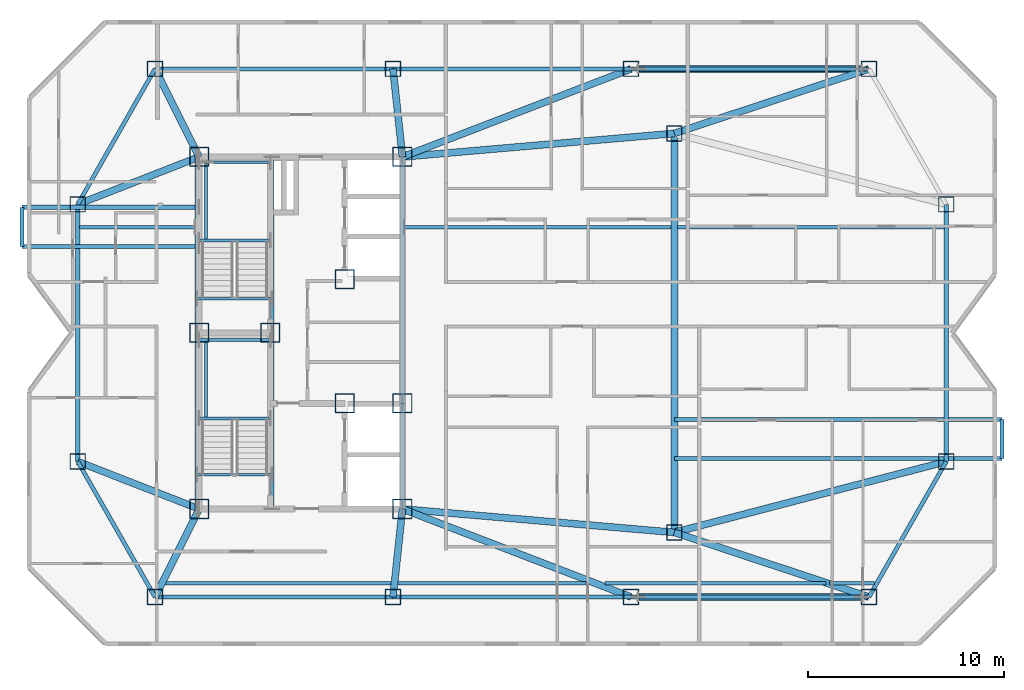
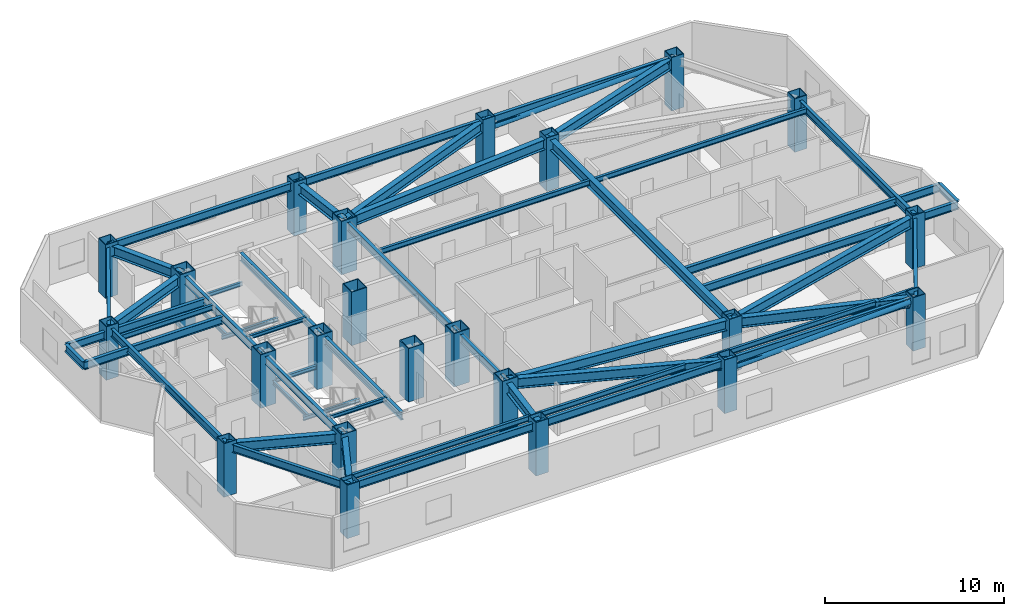
# One storey, part 1 of 10: 52 beams, 23 columns, 2 members.
"""IFC4 building model written with IfcOpenShell, lengths in metres."""

from ifc_helpers import new_model, si_unit, direction, frame, origin, origin_2d, place, context, subcontext, project, spatial, hollow_rectangle, hollow_circle, i_section, extrude, material, material_profile, profile_set, type_object, element, save


model = new_model("IFC4")

# Units and contexts
model_context = context("Model", 3, precision=1e-05, world=origin(), true_north=direction((0.0, 1.0)))
body_context = subcontext(model_context, "Body", "Model", "MODEL_VIEW")
ifc_project = project(units=[si_unit("LENGTHUNIT", "METRE"), si_unit("AREAUNIT", "SQUARE_METRE"), si_unit("VOLUMEUNIT", "CUBIC_METRE"), si_unit("PLANEANGLEUNIT", "RADIAN"), si_unit("MASSUNIT", "GRAM", prefix="KILO")], contexts=[model_context])

# Site, building, storey
site_placement = place(None, origin())
site = spatial("IfcSite", under=ifc_project, at=site_placement, CompositionType="ELEMENT")
building_placement = place(site_placement, origin())
building = spatial("IfcBuilding", under=site, at=building_placement, Name="Khamvora Tower", CompositionType="ELEMENT")
storey_placement = place(building_placement, frame((0.0, 0.0, 257.35009765625)))
storey = spatial("IfcBuildingStorey", under=building, at=storey_placement, Name="L66", CompositionType="ELEMENT", Elevation=257.35009765625)

# Columns
ifc_material_1 = material(Name="Steel S355", Category="steel")
ifc_material_profile_1 = material_profile(ifc_material_1, hollow_rectangle(XDim=0.800048828125, YDim=0.800048828125, WallThickness=0.0400390625, at=origin_2d()), Name="BOX800x800x40")
ifc_profile_set_1 = profile_set([ifc_material_profile_1], Name="Steel S355")
column_type_1 = type_object("IfcColumnType", Name="COL-BOX800", PredefinedType="COLUMN", material=ifc_profile_set_1)
for number, where, z_axis, x_axis, name in (
    (1, (26.75, 14.5, 0.0), (0.0, 0.0, 1.0), (1.0, 0.0, 0.0), "L66 structural frame column S1"),
    (2, (38.9169921875, 14.5, 0.0), (0.0, 0.0, 1.0), (1.0, 0.0, 0.0), "L66 structural frame column S2"),
    (3, (51.0830078125, 14.5, 0.0), (0.0, 0.0, 1.0), (1.0, 0.0, 0.0), "L66 structural frame column S3"),
    (4, (63.25, 14.5, 0.0), (0.0, 0.0, 1.0), (1.0, 0.0, 0.0), "L66 structural frame column S4"),
    (5, (26.75, 41.5, 0.0), (0.0, 0.0, 1.0), (1.0, 0.0, 0.0), "L66 structural frame column N1"),
    (6, (38.9169921875, 41.5, 0.0), (0.0, 0.0, 1.0), (1.0, 0.0, 0.0), "L66 structural frame column N2"),
    (7, (51.0830078125, 41.5, 0.0), (0.0, 0.0, 1.0), (1.0, 0.0, 0.0), "L66 structural frame column N3"),
    (8, (63.25, 41.5, 0.0), (0.0, 0.0, 1.0), (1.0, 0.0, 0.0), "L66 structural frame column N4"),
    (9, (22.800048828125, 21.425048828125, 0.0), (0.0, 0.0, 1.0), (1.0, 0.0, 0.0), "L66 structural frame column W1"),
    (10, (22.800048828125, 34.574951171875, 0.0), (0.0, 0.0, 1.0), (1.0, 0.0, 0.0), "L66 structural frame column W2"),
    (11, (67.199951171875, 21.425048828125, 0.0), (0.0, 0.0, 1.0), (1.0, 0.0, 0.0), "L66 structural frame column E1"),
    (12, (67.199951171875, 34.574951171875, 0.0), (0.0, 0.0, 1.0), (1.0, 0.0, 0.0), "L66 structural frame column E2"),
    (13, (53.300048828125, 17.800048828125, 0.0), (0.0, 0.0, 1.0), (1.0, 0.0, 0.0), "L66 structural frame column M1"),
    (14, (53.300048828125, 38.199951171875, 0.0), (0.0, 0.0, 1.0), (1.0, 0.0, 0.0), "L66 structural frame column M2"),
):
    element("IfcColumn", number, at=place(storey_placement, frame(where, z_axis=z_axis, x_axis=x_axis)), inside=storey, type_object=column_type_1, Name=name, PredefinedType="COLUMN", context=body_context, shape_type="SweptSolid", body=[
        extrude(hollow_rectangle(XDim=0.800048828125, YDim=0.800048828125, WallThickness=0.0400390625, at=origin_2d()), origin(), (0.0, 0.0, 1.0), 3.64990234375),
    ])
ifc_material_2 = material(Name="Structural Steel S460ML", Category="steel")
ifc_material_profile_2 = material_profile(ifc_material_2, hollow_rectangle(XDim=1.0, YDim=1.0, WallThickness=0.050048828125, at=origin_2d()), Name="BOX1000x1000x50")
ifc_profile_set_2 = profile_set([ifc_material_profile_2], Name="Structural Steel S460ML")
column_type_2 = type_object("IfcColumnType", Name="COL-SC-BOX1000", PredefinedType="COLUMN", material=ifc_profile_set_2)
for number, where, z_axis, x_axis, name in (
    (15, (29.0, 19.0, 0.0), (0.0, 0.0, 1.0), (1.0, 0.0, 0.0), "L66 plumb core spine column SC1"),
    (16, (32.64990234375, 28.0, 0.0), (0.0, 0.0, 1.0), (1.0, 0.0, 0.0), "L66 plumb core spine column SC2"),
    (17, (39.39990234375, 19.0, 0.0), (0.0, 0.0, 1.0), (1.0, 0.0, 0.0), "L66 plumb core spine column SC3"),
    (18, (29.0, 28.0, 0.0), (0.0, 0.0, 1.0), (1.0, 0.0, 0.0), "L66 plumb core spine column SC4"),
    (19, (36.449951171875, 24.39990234375, 0.0), (0.0, 0.0, 1.0), (1.0, 0.0, 0.0), "L66 plumb core spine column SC5"),
    (20, (39.39990234375, 24.39990234375, 0.0), (0.0, 0.0, 1.0), (1.0, 0.0, 0.0), "L66 plumb core spine column SC6"),
    (21, (29.0, 37.0, 0.0), (0.0, 0.0, 1.0), (1.0, 0.0, 0.0), "L66 plumb core spine column SC7"),
    (22, (36.449951171875, 30.75, 0.0), (0.0, 0.0, 1.0), (1.0, 0.0, 0.0), "L66 plumb core spine column SC8"),
    (23, (39.39990234375, 37.0, 0.0), (0.0, 0.0, 1.0), (1.0, 0.0, 0.0), "L66 plumb core spine column SC9"),
):
    element("IfcColumn", number, at=place(storey_placement, frame(where, z_axis=z_axis, x_axis=x_axis)), inside=storey, type_object=column_type_2, Name=name, PredefinedType="COLUMN", context=body_context, shape_type="SweptSolid", body=[
        extrude(hollow_rectangle(XDim=1.0, YDim=1.0, WallThickness=0.050048828125, at=origin_2d()), origin(), (0.0, 0.0, 1.0), 3.64990234375),
    ])

# Beams
ifc_material_profile_3 = material_profile(ifc_material_1, i_section(OverallWidth=0.1708984375, OverallDepth=0.35498046875, WebThickness=0.007080078125, FlangeThickness=0.011962890625, FilletRadius=0.010009765625, at=origin_2d()), Name="W360x51")
ifc_profile_set_3 = profile_set([ifc_material_profile_3], Name="Steel S355")
beam_type_1 = type_object("IfcBeamType", Name="BM-JS-W360x51", PredefinedType="JOIST", material=ifc_profile_set_3)
beam_1_placement = place(storey_placement, frame((27.29296875, 15.199951171875, 3.251953125), z_axis=(1.0, 0.0, 0.0), x_axis=(0.0, 1.0, 0.0)))
element("IfcBeam", 24, at=beam_1_placement, inside=storey, type_object=beam_type_1, Name="L66 secondary floor joist 01", PredefinedType="JOIST", context=body_context, shape_type="SweptSolid", body=[
    extrude(i_section(OverallWidth=0.1708984375, OverallDepth=0.35498046875, WebThickness=0.007080078125, FlangeThickness=0.011962890625, FilletRadius=0.010009765625, at=origin_2d()), origin(), (0.0, 0.0, 1.0), 11.526123046875),
])
beam_2_placement = place(storey_placement, frame((39.166015625, 15.199951171875, 3.251953125), z_axis=(1.0, 0.0, 0.0), x_axis=(0.0, 1.0, 0.0)))
element("IfcBeam", 25, at=beam_2_placement, inside=storey, type_object=beam_type_1, Name="L66 secondary floor joist 02", PredefinedType="JOIST", context=body_context, shape_type="SweptSolid", body=[
    extrude(i_section(OverallWidth=0.1708984375, OverallDepth=0.35498046875, WebThickness=0.007080078125, FlangeThickness=0.011962890625, FilletRadius=0.010009765625, at=origin_2d()), origin(), (0.0, 0.0, 1.0), 9.611083984375),
])
beam_3_placement = place(storey_placement, frame((49.75390625, 15.199951171875, 3.251953125), z_axis=(1.0, 0.0, 0.0), x_axis=(0.0, 1.0, 0.0)))
element("IfcBeam", 26, at=beam_3_placement, inside=storey, type_object=beam_type_1, Name="L66 secondary floor joist 03", PredefinedType="JOIST", context=body_context, shape_type="SweptSolid", body=[
    extrude(i_section(OverallWidth=0.1708984375, OverallDepth=0.35498046875, WebThickness=0.007080078125, FlangeThickness=0.011962890625, FilletRadius=0.010009765625, at=origin_2d()), origin(), (0.0, 0.0, 1.0), 11.2900390625),
])
beam_4_placement = place(storey_placement, frame((61.23388671875, 15.199951171875, 3.251953125), z_axis=(1.0, 0.0, 0.0), x_axis=(0.0, 1.0, 0.0)))
element("IfcBeam", 27, at=beam_4_placement, inside=storey, type_object=beam_type_1, Name="L66 secondary floor joist 04", PredefinedType="JOIST", context=body_context, shape_type="SweptSolid", body=[
    extrude(i_section(OverallWidth=0.1708984375, OverallDepth=0.35498046875, WebThickness=0.007080078125, FlangeThickness=0.011962890625, FilletRadius=0.010009765625, at=origin_2d()), origin(), (0.0, 0.0, 1.0), 2.300048828125),
])
beam_5_placement = place(storey_placement, frame((22.89892578125, 33.39990234375, 3.251953125), z_axis=(1.0, 0.0, 0.0), x_axis=(0.0, 1.0, 0.0)))
element("IfcBeam", 28, at=beam_5_placement, inside=storey, type_object=beam_type_1, Name="L66 secondary floor joist 05", PredefinedType="JOIST", context=body_context, shape_type="SweptSolid", body=[
    extrude(i_section(OverallWidth=0.1708984375, OverallDepth=0.35498046875, WebThickness=0.007080078125, FlangeThickness=0.011962890625, FilletRadius=0.010009765625, at=origin_2d()), origin(), (0.0, 0.0, 1.0), 5.901123046875),
])
beam_6_placement = place(storey_placement, frame((39.4990234375, 33.39990234375, 3.251953125), z_axis=(1.0, 0.0, 0.0), x_axis=(0.0, 1.0, 0.0)))
element("IfcBeam", 29, at=beam_6_placement, inside=storey, type_object=beam_type_1, Name="L66 secondary floor joist 06", PredefinedType="JOIST", context=body_context, shape_type="SweptSolid", body=[
    extrude(i_section(OverallWidth=0.1708984375, OverallDepth=0.35498046875, WebThickness=0.007080078125, FlangeThickness=0.011962890625, FilletRadius=0.010009765625, at=origin_2d()), origin(), (0.0, 0.0, 1.0), 13.6279296875),
])
beam_7_placement = place(storey_placement, frame((53.471923828125, 33.39990234375, 3.251953125), z_axis=(1.0, 0.0, 0.0), x_axis=(0.0, 1.0, 0.0)))
element("IfcBeam", 30, at=beam_7_placement, inside=storey, type_object=beam_type_1, Name="L66 secondary floor joist 07", PredefinedType="JOIST", context=body_context, shape_type="SweptSolid", body=[
    extrude(i_section(OverallWidth=0.1708984375, OverallDepth=0.35498046875, WebThickness=0.007080078125, FlangeThickness=0.011962890625, FilletRadius=0.010009765625, at=origin_2d()), origin(), (0.0, 0.0, 1.0), 13.628173828125),
])
ifc_material_profile_4 = material_profile(ifc_material_1, i_section(OverallWidth=0.14697265625, OverallDepth=0.261962890625, WebThickness=0.007080078125, FlangeThickness=0.010986328125, FilletRadius=0.008056640625, at=origin_2d()), Name="W250x39")
ifc_profile_set_4 = profile_set([ifc_material_profile_4], Name="Steel S355")
beam_type_2 = type_object("IfcBeamType", Name="BM-LN-W250x39", PredefinedType="LINTEL", material=ifc_profile_set_4)
for number, where, z_axis, x_axis, name in (
    (31, (29.0, 23.635009765625, 1.493896484375), (1.0, 0.0, 0.0), (0.0, 1.0, 0.0), "L66 ST-01 half-landing support beam 1.1"),
    (32, (29.0, 27.6298828125, 1.493896484375), (1.0, 0.0, 0.0), (0.0, 1.0, 0.0), "L66 ST-01 half-landing support beam 1.2"),
):
    element("IfcBeam", number, at=place(storey_placement, frame(where, z_axis=z_axis, x_axis=x_axis)), inside=storey, type_object=beam_type_2, Name=name, PredefinedType="LINTEL", context=body_context, shape_type="SweptSolid", body=[
        extrude(i_section(OverallWidth=0.14697265625, OverallDepth=0.261962890625, WebThickness=0.007080078125, FlangeThickness=0.010986328125, FilletRadius=0.008056640625, at=origin_2d()), origin(), (0.0, 0.0, 1.0), 3.64990234375),
    ])
beam_8_placement = place(storey_placement, frame((29.35009765625, 23.635009765625, 1.493896484375), z_axis=(0.0, 1.0, 0.0), x_axis=(-1.0, 0.0, 0.0)))
element("IfcBeam", 33, at=beam_8_placement, inside=storey, type_object=beam_type_2, Name="L66 ST-01 half-landing edge stringer 1", PredefinedType="LINTEL", context=body_context, shape_type="SweptSolid", body=[
    extrude(i_section(OverallWidth=0.14697265625, OverallDepth=0.261962890625, WebThickness=0.007080078125, FlangeThickness=0.010986328125, FilletRadius=0.008056640625, at=origin_2d()), origin(), (0.0, 0.0, 1.0), 3.994873046875),
])
for number, where, z_axis, x_axis, name in (
    (34, (29.0, 32.735107421875, 1.493896484375), (1.0, 0.0, 0.0), (0.0, 1.0, 0.0), "L66 ST-02 half-landing support beam 1.1"),
    (35, (29.0, 36.72998046875, 1.493896484375), (1.0, 0.0, 0.0), (0.0, 1.0, 0.0), "L66 ST-02 half-landing support beam 1.2"),
):
    element("IfcBeam", number, at=place(storey_placement, frame(where, z_axis=z_axis, x_axis=x_axis)), inside=storey, type_object=beam_type_2, Name=name, PredefinedType="LINTEL", context=body_context, shape_type="SweptSolid", body=[
        extrude(i_section(OverallWidth=0.14697265625, OverallDepth=0.261962890625, WebThickness=0.007080078125, FlangeThickness=0.010986328125, FilletRadius=0.008056640625, at=origin_2d()), origin(), (0.0, 0.0, 1.0), 3.64990234375),
    ])
beam_9_placement = place(storey_placement, frame((29.35009765625, 32.735107421875, 1.493896484375), z_axis=(0.0, 1.0, 0.0), x_axis=(-1.0, 0.0, 0.0)))
element("IfcBeam", 36, at=beam_9_placement, inside=storey, type_object=beam_type_2, Name="L66 ST-02 half-landing edge stringer 1", PredefinedType="LINTEL", context=body_context, shape_type="SweptSolid", body=[
    extrude(i_section(OverallWidth=0.14697265625, OverallDepth=0.261962890625, WebThickness=0.007080078125, FlangeThickness=0.010986328125, FilletRadius=0.008056640625, at=origin_2d()), origin(), (0.0, 0.0, 1.0), 3.994873046875),
])
for number, where, z_axis, x_axis, name in (
    (37, (28.89990234375, 20.75, 3.303955078125), (1.0, 0.0, 0.0), (0.0, 1.0, 0.0), "L66 exit stair ST-01 landing trimmer beam"),
    (38, (28.89990234375, 29.75, 3.303955078125), (1.0, 0.0, 0.0), (0.0, 1.0, 0.0), "L66 exit stair ST-02 landing trimmer beam"),
):
    element("IfcBeam", number, at=place(storey_placement, frame(where, z_axis=z_axis, x_axis=x_axis)), inside=storey, type_object=beam_type_2, Name=name, PredefinedType="LINTEL", context=body_context, shape_type="SweptSolid", body=[
        extrude(i_section(OverallWidth=0.14697265625, OverallDepth=0.261962890625, WebThickness=0.007080078125, FlangeThickness=0.010986328125, FilletRadius=0.008056640625, at=origin_2d()), origin(), (0.0, 0.0, 1.0), 3.830078125),
    ])
ifc_material_profile_5 = material_profile(ifc_material_1, i_section(OverallWidth=0.35498046875, OverallDepth=0.695068359375, WebThickness=0.014892578125, FlangeThickness=0.02490234375, FilletRadius=0.01611328125, at=origin_2d()), Name="W690x217")
ifc_profile_set_5 = profile_set([ifc_material_profile_5], Name="Steel S355")
beam_type_3 = type_object("IfcBeamType", Name="BM-PG-W690x217", PredefinedType="BEAM", material=ifc_profile_set_5)
beam_10_placement = place(storey_placement, frame((53.300048828125, 17.800048828125, 3.081787109375), z_axis=(0.0, 1.0, 0.0), x_axis=(-1.0, 0.0, 0.0)))
element("IfcBeam", 39, at=beam_10_placement, inside=storey, type_object=beam_type_3, Name="L66 longitudinal frame girder M1-M2", PredefinedType="BEAM", context=body_context, shape_type="SweptSolid", body=[
    extrude(i_section(OverallWidth=0.35498046875, OverallDepth=0.695068359375, WebThickness=0.014892578125, FlangeThickness=0.02490234375, FilletRadius=0.01611328125, at=origin_2d()), origin(), (0.0, 0.0, 1.0), 20.39990234375),
])
beam_11_placement = place(storey_placement, frame((29.0, 19.0, 3.081787109375), z_axis=(-0.4472135955, -0.894427191, 0.0), x_axis=(0.894427191, -0.4472135955, 0.0)))
element("IfcBeam", 40, at=beam_11_placement, inside=storey, type_object=beam_type_3, Name="L66 primary floor girder S1", PredefinedType="BEAM", context=body_context, shape_type="SweptSolid", body=[
    extrude(i_section(OverallWidth=0.35498046875, OverallDepth=0.695068359375, WebThickness=0.014892578125, FlangeThickness=0.02490234375, FilletRadius=0.01611328125, at=origin_2d()), origin(), (0.0, 0.0, 1.0), 5.03125),
])
beam_12_placement = place(storey_placement, frame((39.39990234375, 19.0, 3.081787109375), z_axis=(-0.106700735484, -0.994291181218, 0.0), x_axis=(0.994291181218, -0.106700735484, 0.0)))
element("IfcBeam", 41, at=beam_12_placement, inside=storey, type_object=beam_type_3, Name="L66 primary floor girder S2", PredefinedType="BEAM", context=body_context, shape_type="SweptSolid", body=[
    extrude(i_section(OverallWidth=0.35498046875, OverallDepth=0.695068359375, WebThickness=0.014892578125, FlangeThickness=0.02490234375, FilletRadius=0.01611328125, at=origin_2d()), origin(), (0.0, 0.0, 1.0), 4.52587890625),
])
beam_13_placement = place(storey_placement, frame((39.39990234375, 19.0, 3.081787109375), z_axis=(0.933171601475, -0.359431164759, 0.0), x_axis=(0.359431164759, 0.933171601475, 0.0)))
element("IfcBeam", 42, at=beam_13_placement, inside=storey, type_object=beam_type_3, Name="L66 primary floor girder S3", PredefinedType="BEAM", context=body_context, shape_type="SweptSolid", body=[
    extrude(i_section(OverallWidth=0.35498046875, OverallDepth=0.695068359375, WebThickness=0.014892578125, FlangeThickness=0.02490234375, FilletRadius=0.01611328125, at=origin_2d()), origin(), (0.0, 0.0, 1.0), 12.519775390625),
])
beam_14_placement = place(storey_placement, frame((53.300048828125, 17.800048828125, 3.081787109375), z_axis=(0.949157330029, -0.314802101092, 0.0), x_axis=(0.314802101092, 0.949157330029, 0.0)))
element("IfcBeam", 43, at=beam_14_placement, inside=storey, type_object=beam_type_3, Name="L66 primary floor girder S4", PredefinedType="BEAM", context=body_context, shape_type="SweptSolid", body=[
    extrude(i_section(OverallWidth=0.35498046875, OverallDepth=0.695068359375, WebThickness=0.014892578125, FlangeThickness=0.02490234375, FilletRadius=0.01611328125, at=origin_2d()), origin(), (0.0, 0.0, 1.0), 10.48291015625),
])
beam_15_placement = place(storey_placement, frame((29.0, 37.0, 3.081787109375), z_axis=(-0.4472135955, 0.894427191, 0.0), x_axis=(-0.894427191, -0.4472135955, 0.0)))
element("IfcBeam", 44, at=beam_15_placement, inside=storey, type_object=beam_type_3, Name="L66 primary floor girder N1", PredefinedType="BEAM", context=body_context, shape_type="SweptSolid", body=[
    extrude(i_section(OverallWidth=0.35498046875, OverallDepth=0.695068359375, WebThickness=0.014892578125, FlangeThickness=0.02490234375, FilletRadius=0.01611328125, at=origin_2d()), origin(), (0.0, 0.0, 1.0), 5.03125),
])
beam_16_placement = place(storey_placement, frame((39.39990234375, 37.0, 3.081787109375), z_axis=(-0.106700735484, 0.994291181218, 0.0), x_axis=(-0.994291181218, -0.106700735484, 0.0)))
element("IfcBeam", 45, at=beam_16_placement, inside=storey, type_object=beam_type_3, Name="L66 primary floor girder N2", PredefinedType="BEAM", context=body_context, shape_type="SweptSolid", body=[
    extrude(i_section(OverallWidth=0.35498046875, OverallDepth=0.695068359375, WebThickness=0.014892578125, FlangeThickness=0.02490234375, FilletRadius=0.01611328125, at=origin_2d()), origin(), (0.0, 0.0, 1.0), 4.52587890625),
])
beam_17_placement = place(storey_placement, frame((39.39990234375, 37.0, 3.081787109375), z_axis=(0.933171601475, 0.359431164759, 0.0), x_axis=(-0.359431164759, 0.933171601475, 0.0)))
element("IfcBeam", 46, at=beam_17_placement, inside=storey, type_object=beam_type_3, Name="L66 primary floor girder N3", PredefinedType="BEAM", context=body_context, shape_type="SweptSolid", body=[
    extrude(i_section(OverallWidth=0.35498046875, OverallDepth=0.695068359375, WebThickness=0.014892578125, FlangeThickness=0.02490234375, FilletRadius=0.01611328125, at=origin_2d()), origin(), (0.0, 0.0, 1.0), 12.519775390625),
])
beam_18_placement = place(storey_placement, frame((53.300048828125, 38.199951171875, 3.081787109375), z_axis=(0.949157330029, 0.314802101092, 0.0), x_axis=(-0.314802101092, 0.949157330029, 0.0)))
element("IfcBeam", 47, at=beam_18_placement, inside=storey, type_object=beam_type_3, Name="L66 primary floor girder N4", PredefinedType="BEAM", context=body_context, shape_type="SweptSolid", body=[
    extrude(i_section(OverallWidth=0.35498046875, OverallDepth=0.695068359375, WebThickness=0.014892578125, FlangeThickness=0.02490234375, FilletRadius=0.01611328125, at=origin_2d()), origin(), (0.0, 0.0, 1.0), 10.48291015625),
])
for number, where, z_axis, x_axis, name in (
    (48, (29.0, 19.0, 3.081787109375), (-0.931294712743, 0.36426660294, 0.0), (-0.36426660294, -0.931294712743, 0.0), "L66 primary floor girder W1"),
    (49, (29.0, 37.0, 3.081787109375), (-0.931294712743, -0.36426660294, 0.0), (0.36426660294, -0.931294712743, 0.0), "L66 primary floor girder W2"),
):
    element("IfcBeam", number, at=place(storey_placement, frame(where, z_axis=z_axis, x_axis=x_axis)), inside=storey, type_object=beam_type_3, Name=name, PredefinedType="BEAM", context=body_context, shape_type="SweptSolid", body=[
        extrude(i_section(OverallWidth=0.35498046875, OverallDepth=0.695068359375, WebThickness=0.014892578125, FlangeThickness=0.02490234375, FilletRadius=0.01611328125, at=origin_2d()), origin(), (0.0, 0.0, 1.0), 6.6572265625),
    ])
beam_19_placement = place(storey_placement, frame((53.300048828125, 17.800048828125, 3.081787109375), z_axis=(0.967635318494, 0.252352710314, 0.0), x_axis=(-0.252352710314, 0.967635318494, 0.0)))
element("IfcBeam", 50, at=beam_19_placement, inside=storey, type_object=beam_type_3, Name="L66 primary floor girder E1", PredefinedType="BEAM", context=body_context, shape_type="SweptSolid", body=[
    extrude(i_section(OverallWidth=0.35498046875, OverallDepth=0.695068359375, WebThickness=0.014892578125, FlangeThickness=0.02490234375, FilletRadius=0.01611328125, at=origin_2d()), origin(), (0.0, 0.0, 1.0), 14.36474609375),
])
for number, where, z_axis, x_axis, name in (
    (51, (39.39990234375, 19.0, 3.081787109375), (0.996294564212, -0.08600663534, 0.0), (0.08600663534, 0.996294564212, 0.0), "L66 primary floor girder M1"),
    (52, (39.39990234375, 37.0, 3.081787109375), (0.996294564212, 0.08600663534, 0.0), (-0.08600663534, 0.996294564212, 0.0), "L66 primary floor girder M2"),
):
    element("IfcBeam", number, at=place(storey_placement, frame(where, z_axis=z_axis, x_axis=x_axis)), inside=storey, type_object=beam_type_3, Name=name, PredefinedType="BEAM", context=body_context, shape_type="SweptSolid", body=[
        extrude(i_section(OverallWidth=0.35498046875, OverallDepth=0.695068359375, WebThickness=0.014892578125, FlangeThickness=0.02490234375, FilletRadius=0.01611328125, at=origin_2d()), origin(), (0.0, 0.0, 1.0), 13.951904296875),
    ])
ifc_material_profile_6 = material_profile(ifc_material_1, i_section(OverallWidth=0.208984375, OverallDepth=0.532958984375, WebThickness=0.010009765625, FlangeThickness=0.01611328125, FilletRadius=0.013916015625, at=origin_2d()), Name="W530x92")
ifc_profile_set_6 = profile_set([ifc_material_profile_6], Name="Steel S355")
beam_type_4 = type_object("IfcBeamType", Name="BM-SP-W530x92", PredefinedType="SPANDREL", material=ifc_profile_set_6)
beam_20_placement = place(storey_placement, frame((22.800048828125, 21.425048828125, 3.162841796875), z_axis=(0.495456118564, -0.868632968853, 0.0), x_axis=(0.868632968853, 0.495456118564, 0.0)))
element("IfcBeam", 53, at=beam_20_placement, inside=storey, type_object=beam_type_4, Name="L66 perimeter spandrel beam W1-S1", PredefinedType="SPANDREL", context=body_context, shape_type="SweptSolid", body=[
    extrude(i_section(OverallWidth=0.208984375, OverallDepth=0.532958984375, WebThickness=0.010009765625, FlangeThickness=0.01611328125, FilletRadius=0.013916015625, at=origin_2d()), origin(), (0.0, 0.0, 1.0), 7.972412109375),
])
beam_21_placement = place(storey_placement, frame((26.75, 14.5, 3.162841796875), z_axis=(1.0, 0.0, 0.0), x_axis=(0.0, 1.0, 0.0)))
element("IfcBeam", 54, at=beam_21_placement, inside=storey, type_object=beam_type_4, Name="L66 perimeter spandrel beam S1-S2", PredefinedType="SPANDREL", context=body_context, shape_type="SweptSolid", body=[
    extrude(i_section(OverallWidth=0.208984375, OverallDepth=0.532958984375, WebThickness=0.010009765625, FlangeThickness=0.01611328125, FilletRadius=0.013916015625, at=origin_2d()), origin(), (0.0, 0.0, 1.0), 12.1669921875),
])
beam_22_placement = place(storey_placement, frame((38.9169921875, 14.5, 3.162841796875), z_axis=(1.0, 0.0, 0.0), x_axis=(0.0, 1.0, 0.0)))
element("IfcBeam", 55, at=beam_22_placement, inside=storey, type_object=beam_type_4, Name="L66 perimeter spandrel beam S2-S3", PredefinedType="SPANDREL", context=body_context, shape_type="SweptSolid", body=[
    extrude(i_section(OverallWidth=0.208984375, OverallDepth=0.532958984375, WebThickness=0.010009765625, FlangeThickness=0.01611328125, FilletRadius=0.013916015625, at=origin_2d()), origin(), (0.0, 0.0, 1.0), 12.166015625),
])
beam_23_placement = place(storey_placement, frame((51.0830078125, 14.5, 3.162841796875), z_axis=(1.0, 0.0, 0.0), x_axis=(0.0, 1.0, 0.0)))
element("IfcBeam", 56, at=beam_23_placement, inside=storey, type_object=beam_type_4, Name="L66 perimeter spandrel beam S3-S4", PredefinedType="SPANDREL", context=body_context, shape_type="SweptSolid", body=[
    extrude(i_section(OverallWidth=0.208984375, OverallDepth=0.532958984375, WebThickness=0.010009765625, FlangeThickness=0.01611328125, FilletRadius=0.013916015625, at=origin_2d()), origin(), (0.0, 0.0, 1.0), 12.1669921875),
])
beam_24_placement = place(storey_placement, frame((63.25, 14.5, 3.162841796875), z_axis=(0.495456118564, 0.868632968853, 0.0), x_axis=(-0.868632968853, 0.495456118564, 0.0)))
element("IfcBeam", 57, at=beam_24_placement, inside=storey, type_object=beam_type_4, Name="L66 perimeter spandrel beam S4-E1", PredefinedType="SPANDREL", context=body_context, shape_type="SweptSolid", body=[
    extrude(i_section(OverallWidth=0.208984375, OverallDepth=0.532958984375, WebThickness=0.010009765625, FlangeThickness=0.01611328125, FilletRadius=0.013916015625, at=origin_2d()), origin(), (0.0, 0.0, 1.0), 7.972412109375),
])
beam_25_placement = place(storey_placement, frame((67.199951171875, 21.425048828125, 3.162841796875), z_axis=(0.0, 1.0, 0.0), x_axis=(-1.0, 0.0, 0.0)))
element("IfcBeam", 58, at=beam_25_placement, inside=storey, type_object=beam_type_4, Name="L66 perimeter spandrel beam E1-E2", PredefinedType="SPANDREL", context=body_context, shape_type="SweptSolid", body=[
    extrude(i_section(OverallWidth=0.208984375, OverallDepth=0.532958984375, WebThickness=0.010009765625, FlangeThickness=0.01611328125, FilletRadius=0.013916015625, at=origin_2d()), origin(), (0.0, 0.0, 1.0), 13.14990234375),
])
beam_26_placement = place(storey_placement, frame((63.25, 41.5, 3.162841796875), z_axis=(-1.0, 0.0, 0.0), x_axis=(0.0, -1.0, 0.0)))
element("IfcBeam", 59, at=beam_26_placement, inside=storey, type_object=beam_type_4, Name="L66 perimeter spandrel beam N4-N3", PredefinedType="SPANDREL", context=body_context, shape_type="SweptSolid", body=[
    extrude(i_section(OverallWidth=0.208984375, OverallDepth=0.532958984375, WebThickness=0.010009765625, FlangeThickness=0.01611328125, FilletRadius=0.013916015625, at=origin_2d()), origin(), (0.0, 0.0, 1.0), 12.1669921875),
])
beam_27_placement = place(storey_placement, frame((51.0830078125, 41.5, 3.162841796875), z_axis=(-1.0, 0.0, 0.0), x_axis=(0.0, -1.0, 0.0)))
element("IfcBeam", 60, at=beam_27_placement, inside=storey, type_object=beam_type_4, Name="L66 perimeter spandrel beam N3-N2", PredefinedType="SPANDREL", context=body_context, shape_type="SweptSolid", body=[
    extrude(i_section(OverallWidth=0.208984375, OverallDepth=0.532958984375, WebThickness=0.010009765625, FlangeThickness=0.01611328125, FilletRadius=0.013916015625, at=origin_2d()), origin(), (0.0, 0.0, 1.0), 12.166015625),
])
beam_28_placement = place(storey_placement, frame((38.9169921875, 41.5, 3.162841796875), z_axis=(-1.0, 0.0, 0.0), x_axis=(0.0, -1.0, 0.0)))
element("IfcBeam", 61, at=beam_28_placement, inside=storey, type_object=beam_type_4, Name="L66 perimeter spandrel beam N2-N1", PredefinedType="SPANDREL", context=body_context, shape_type="SweptSolid", body=[
    extrude(i_section(OverallWidth=0.208984375, OverallDepth=0.532958984375, WebThickness=0.010009765625, FlangeThickness=0.01611328125, FilletRadius=0.013916015625, at=origin_2d()), origin(), (0.0, 0.0, 1.0), 12.1669921875),
])
beam_29_placement = place(storey_placement, frame((26.75, 41.5, 3.162841796875), z_axis=(-0.495456118564, -0.868632968853, 0.0), x_axis=(0.868632968853, -0.495456118564, 0.0)))
element("IfcBeam", 62, at=beam_29_placement, inside=storey, type_object=beam_type_4, Name="L66 perimeter spandrel beam N1-W2", PredefinedType="SPANDREL", context=body_context, shape_type="SweptSolid", body=[
    extrude(i_section(OverallWidth=0.208984375, OverallDepth=0.532958984375, WebThickness=0.010009765625, FlangeThickness=0.01611328125, FilletRadius=0.013916015625, at=origin_2d()), origin(), (0.0, 0.0, 1.0), 7.972412109375),
])
beam_30_placement = place(storey_placement, frame((22.800048828125, 34.574951171875, 3.162841796875), z_axis=(0.0, -1.0, 0.0), x_axis=(1.0, 0.0, 0.0)))
element("IfcBeam", 63, at=beam_30_placement, inside=storey, type_object=beam_type_4, Name="L66 perimeter spandrel beam W2-W1", PredefinedType="SPANDREL", context=body_context, shape_type="SweptSolid", body=[
    extrude(i_section(OverallWidth=0.208984375, OverallDepth=0.532958984375, WebThickness=0.010009765625, FlangeThickness=0.01611328125, FilletRadius=0.013916015625, at=origin_2d()), origin(), (0.0, 0.0, 1.0), 13.14990234375),
])
for number, where, z_axis, x_axis, name in (
    (64, (28.89990234375, 19.0, 3.162841796875), (0.0, 1.0, 0.0), (-1.0, 0.0, 0.0), "L66 core spine girder WS"),
    (65, (28.89990234375, 28.0, 3.162841796875), (0.0, 1.0, 0.0), (-1.0, 0.0, 0.0), "L66 core spine girder WN"),
    (66, (32.72998046875, 19.0, 3.162841796875), (0.0, 1.0, 0.0), (-1.0, 0.0, 0.0), "L66 core spine girder M1S"),
    (67, (32.72998046875, 28.0, 3.162841796875), (0.0, 1.0, 0.0), (-1.0, 0.0, 0.0), "L66 core spine girder M1N"),
):
    element("IfcBeam", number, at=place(storey_placement, frame(where, z_axis=z_axis, x_axis=x_axis)), inside=storey, type_object=beam_type_4, Name=name, PredefinedType="SPANDREL", context=body_context, shape_type="SweptSolid", body=[
        extrude(i_section(OverallWidth=0.208984375, OverallDepth=0.532958984375, WebThickness=0.010009765625, FlangeThickness=0.01611328125, FilletRadius=0.013916015625, at=origin_2d()), origin(), (0.0, 0.0, 1.0), 9.0),
    ])
beam_31_placement = place(storey_placement, frame((39.39990234375, 19.0, 3.162841796875), z_axis=(0.0, 1.0, 0.0), x_axis=(-1.0, 0.0, 0.0)))
element("IfcBeam", 68, at=beam_31_placement, inside=storey, type_object=beam_type_4, Name="L66 core spine girder ES", PredefinedType="SPANDREL", context=body_context, shape_type="SweptSolid", body=[
    extrude(i_section(OverallWidth=0.208984375, OverallDepth=0.532958984375, WebThickness=0.010009765625, FlangeThickness=0.01611328125, FilletRadius=0.013916015625, at=origin_2d()), origin(), (0.0, 0.0, 1.0), 5.39990234375),
])
beam_32_placement = place(storey_placement, frame((39.39990234375, 24.39990234375, 3.162841796875), z_axis=(0.0, 1.0, 0.0), x_axis=(-1.0, 0.0, 0.0)))
element("IfcBeam", 69, at=beam_32_placement, inside=storey, type_object=beam_type_4, Name="L66 core spine girder EN", PredefinedType="SPANDREL", context=body_context, shape_type="SweptSolid", body=[
    extrude(i_section(OverallWidth=0.208984375, OverallDepth=0.532958984375, WebThickness=0.010009765625, FlangeThickness=0.01611328125, FilletRadius=0.013916015625, at=origin_2d()), origin(), (0.0, 0.0, 1.0), 12.60009765625),
])
for number, where, z_axis, x_axis, name in (
    (70, (53.300048828125, 21.574951171875, 2.962890625), (1.0, 0.0, 0.0), (0.0, 1.0, 0.0), "L66 continuous gallery cantilever girder L67-EL1-1"),
    (71, (53.300048828125, 23.574951171875, 2.962890625), (1.0, 0.0, 0.0), (0.0, 1.0, 0.0), "L66 continuous gallery cantilever girder L67-EL1-2"),
):
    element("IfcBeam", number, at=place(storey_placement, frame(where, z_axis=z_axis, x_axis=x_axis)), inside=storey, type_object=beam_type_4, Name=name, PredefinedType="SPANDREL", context=body_context, shape_type="SweptSolid", body=[
        extrude(i_section(OverallWidth=0.208984375, OverallDepth=0.532958984375, WebThickness=0.010009765625, FlangeThickness=0.01611328125, FilletRadius=0.013916015625, at=origin_2d()), origin(), (0.0, 0.0, 1.0), 16.75),
    ])
beam_33_placement = place(storey_placement, frame((70.050048828125, 21.574951171875, 2.962890625), z_axis=(0.0, 1.0, 0.0), x_axis=(-1.0, 0.0, 0.0)))
element("IfcBeam", 72, at=beam_33_placement, inside=storey, type_object=beam_type_4, Name="L66 external gallery edge header beam L67-EL1", PredefinedType="SPANDREL", context=body_context, shape_type="SweptSolid", body=[
    extrude(i_section(OverallWidth=0.208984375, OverallDepth=0.532958984375, WebThickness=0.010009765625, FlangeThickness=0.01611328125, FilletRadius=0.013916015625, at=origin_2d()), origin(), (0.0, 0.0, 1.0), 2.0),
])
for number, where, z_axis, x_axis, name in (
    (73, (29.0, 32.425048828125, 2.962890625), (-1.0, 0.0, 0.0), (0.0, -1.0, 0.0), "L66 continuous gallery cantilever girder L67-WL2-1"),
    (74, (29.0, 34.425048828125, 2.962890625), (-1.0, 0.0, 0.0), (0.0, -1.0, 0.0), "L66 continuous gallery cantilever girder L67-WL2-2"),
):
    element("IfcBeam", number, at=place(storey_placement, frame(where, z_axis=z_axis, x_axis=x_axis)), inside=storey, type_object=beam_type_4, Name=name, PredefinedType="SPANDREL", context=body_context, shape_type="SweptSolid", body=[
        extrude(i_section(OverallWidth=0.208984375, OverallDepth=0.532958984375, WebThickness=0.010009765625, FlangeThickness=0.01611328125, FilletRadius=0.013916015625, at=origin_2d()), origin(), (0.0, 0.0, 1.0), 9.050048828125),
    ])
beam_34_placement = place(storey_placement, frame((19.949951171875, 32.425048828125, 2.962890625), z_axis=(0.0, 1.0, 0.0), x_axis=(-1.0, 0.0, 0.0)))
element("IfcBeam", 75, at=beam_34_placement, inside=storey, type_object=beam_type_4, Name="L66 external gallery edge header beam L67-WL2", PredefinedType="SPANDREL", context=body_context, shape_type="SweptSolid", body=[
    extrude(i_section(OverallWidth=0.208984375, OverallDepth=0.532958984375, WebThickness=0.010009765625, FlangeThickness=0.01611328125, FilletRadius=0.013916015625, at=origin_2d()), origin(), (0.0, 0.0, 1.0), 2.0),
])

# Members
ifc_material_profile_7 = material_profile(ifc_material_1, hollow_circle(Radius=0.177978515625, WallThickness=0.013916015625, at=origin_2d()), Name="CHS356x14")
ifc_profile_set_7 = profile_set([ifc_material_profile_7], Name="Steel S355")
member_type = type_object("IfcMemberType", Name="MEM-BR-CHS356", PredefinedType="BRACE", material=ifc_profile_set_7)
for number, where, z_axis, x_axis, name in (
    (76, (51.462890625, 14.5, 2.69482421875), (0.999211988894, 0.0, 0.039691324617), (0.0, 1.0, 0.0), "L66 perimeter wind brace 1"),
    (77, (51.462890625, 41.5, 2.69482421875), (0.999211988894, 0.0, 0.039691324617), (0.0, 1.0, 0.0), "L66 perimeter wind brace 2"),
):
    element("IfcMember", number, at=place(storey_placement, frame(where, z_axis=z_axis, x_axis=x_axis)), inside=storey, type_object=member_type, Name=name, PredefinedType="BRACE", context=body_context, shape_type="SweptSolid", body=[
        extrude(hollow_circle(Radius=0.177978515625, WallThickness=0.013916015625, at=origin_2d()), origin(), (0.0, 0.0, 1.0), 11.416259765625),
    ])

save(model, "model.ifc")
